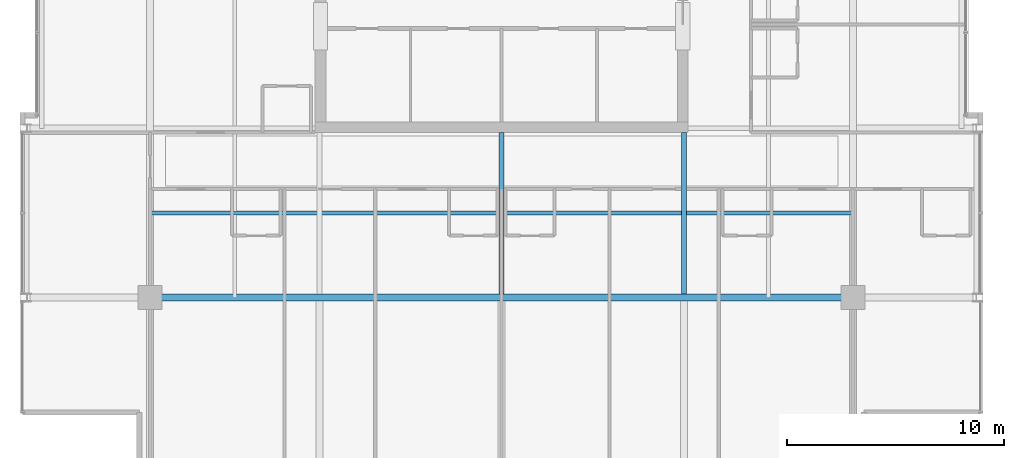
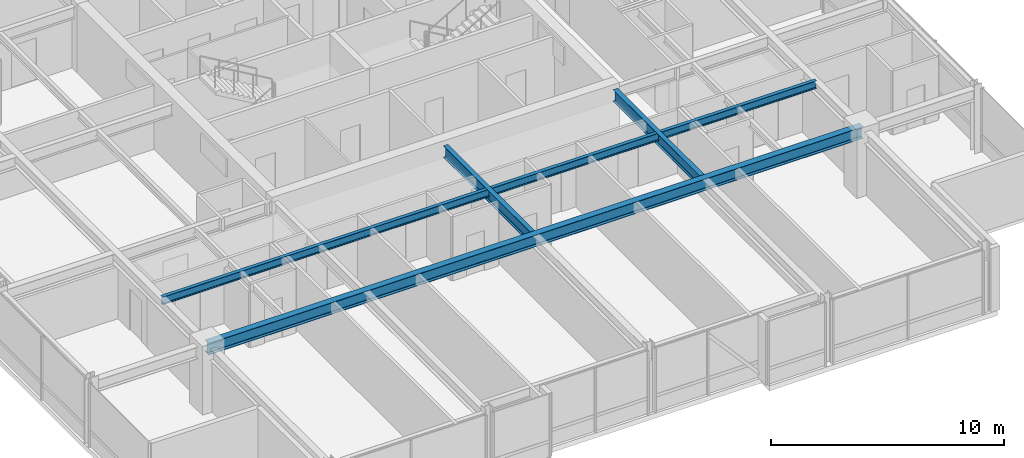
# One storey, part 8 of 33: 4 beams.
"""IFC4 building model written with IfcOpenShell, lengths in metres."""

from ifc_helpers import new_model, si_unit, direction, frame, origin, origin_2d, place, context, subcontext, project, spatial, i_section, extrude, material, material_profile, profile_set, type_object, element, save


model = new_model("IFC4")

# Units and contexts
model_context = context("Model", 3, precision=1e-05, world=origin(), true_north=direction((0.0, 1.0)))
body_context = subcontext(model_context, "Body", "Model", "MODEL_VIEW")
ifc_project = project(units=[si_unit("LENGTHUNIT", "METRE"), si_unit("AREAUNIT", "SQUARE_METRE"), si_unit("VOLUMEUNIT", "CUBIC_METRE"), si_unit("PLANEANGLEUNIT", "RADIAN"), si_unit("MASSUNIT", "GRAM", prefix="KILO")], contexts=[model_context])

# Site, building, storey
site_placement = place(None, origin())
site = spatial("IfcSite", under=ifc_project, at=site_placement, CompositionType="ELEMENT")
building_placement = place(site_placement, origin())
building = spatial("IfcBuilding", under=site, at=building_placement, Name="Drelvath Grand Hotel", CompositionType="ELEMENT")
storey_placement = place(building_placement, frame((0.0, 0.0, 248.300048828125)))
storey = spatial("IfcBuildingStorey", under=building, at=storey_placement, Name="L65", CompositionType="ELEMENT", Elevation=248.300048828125)

# Beams
ifc_material = material(Name="Steel ASTM A992 Gr 50", Category="steel")
ifc_material_profile_1 = material_profile(ifc_material, i_section(OverallWidth=0.177734375, OverallDepth=0.40673828125, WebThickness=0.0078125, FlangeThickness=0.0126953125, FilletRadius=0.014892578125, at=origin_2d()), Name="W16X40")
ifc_profile_set_1 = profile_set([ifc_material_profile_1], Name="Steel ASTM A992 Gr 50")
beam_type_1 = type_object("IfcBeamType", Name="Composite Floor Joist W16X40", PredefinedType="JOIST", material=ifc_profile_set_1)
beam_1_placement = place(storey_placement, frame((-16.199951171875, 14.699951171875, 3.136474609375), z_axis=(1.0, 0.0, 0.0), x_axis=(0.0, 1.0, 0.0)))
element("IfcBeam", 1, at=beam_1_placement, inside=storey, type_object=beam_type_1, Name="L65 Floor Joist J1", PredefinedType="JOIST", context=body_context, shape_type="SweptSolid", body=[
    extrude(i_section(OverallWidth=0.177734375, OverallDepth=0.40673828125, WebThickness=0.0078125, FlangeThickness=0.0126953125, FilletRadius=0.014892578125, at=origin_2d()), origin(), (0.0, 0.0, 1.0), 32.39990234375),
])
ifc_material_profile_2 = material_profile(ifc_material, i_section(OverallWidth=0.323974609375, OverallDepth=0.611083984375, WebThickness=0.0126953125, FlangeThickness=0.01904296875, FilletRadius=0.02197265625, at=origin_2d()), Name="W24X104")
ifc_profile_set_2 = profile_set([ifc_material_profile_2], Name="Steel ASTM A992 Gr 50")
beam_type_2 = type_object("IfcBeamType", Name="Primary Floor Girder W24X104", PredefinedType="BEAM", material=ifc_profile_set_2)
beam_2_placement = place(storey_placement, frame((-16.199951171875, 10.800048828125, 3.034423828125), z_axis=(1.0, 0.0, 0.0), x_axis=(0.0, 1.0, 0.0)))
element("IfcBeam", 2, at=beam_2_placement, inside=storey, type_object=beam_type_2, Name="L65 Mega Ring Girder South", PredefinedType="BEAM", context=body_context, shape_type="SweptSolid", body=[
    extrude(i_section(OverallWidth=0.323974609375, OverallDepth=0.611083984375, WebThickness=0.0126953125, FlangeThickness=0.01904296875, FilletRadius=0.02197265625, at=origin_2d()), origin(), (0.0, 0.0, 1.0), 32.39990234375),
])
ifc_material_profile_3 = material_profile(ifc_material, i_section(OverallWidth=0.228271484375, OverallDepth=0.607666015625, WebThickness=0.01123046875, FlangeThickness=0.017333984375, FilletRadius=0.02001953125, at=origin_2d()), Name="W24X76")
ifc_profile_set_3 = profile_set([ifc_material_profile_3], Name="Steel ASTM A992 Gr 50")
beam_type_3 = type_object("IfcBeamType", Name="Primary Floor Girder W24X76", PredefinedType="BEAM", material=ifc_profile_set_3)
for number, where, z_axis, x_axis, name in (
    (3, (0.0, 10.9619140625, 3.0361328125), (0.0, 1.0, 0.0), (-1.0, 0.0, 0.0), "L65 South Core Tie 5"),
    (4, (8.39990234375, 10.9619140625, 3.0361328125), (0.0, 1.0, 0.0), (-1.0, 0.0, 0.0), "L65 South Core Tie 6"),
):
    element("IfcBeam", number, at=place(storey_placement, frame(where, z_axis=z_axis, x_axis=x_axis)), inside=storey, type_object=beam_type_3, Name=name, PredefinedType="BEAM", context=body_context, shape_type="SweptSolid", body=[
        extrude(i_section(OverallWidth=0.228271484375, OverallDepth=0.607666015625, WebThickness=0.01123046875, FlangeThickness=0.017333984375, FilletRadius=0.02001953125, at=origin_2d()), origin(), (0.0, 0.0, 1.0), 7.43798828125),
    ])

save(model, "model.ifc")
